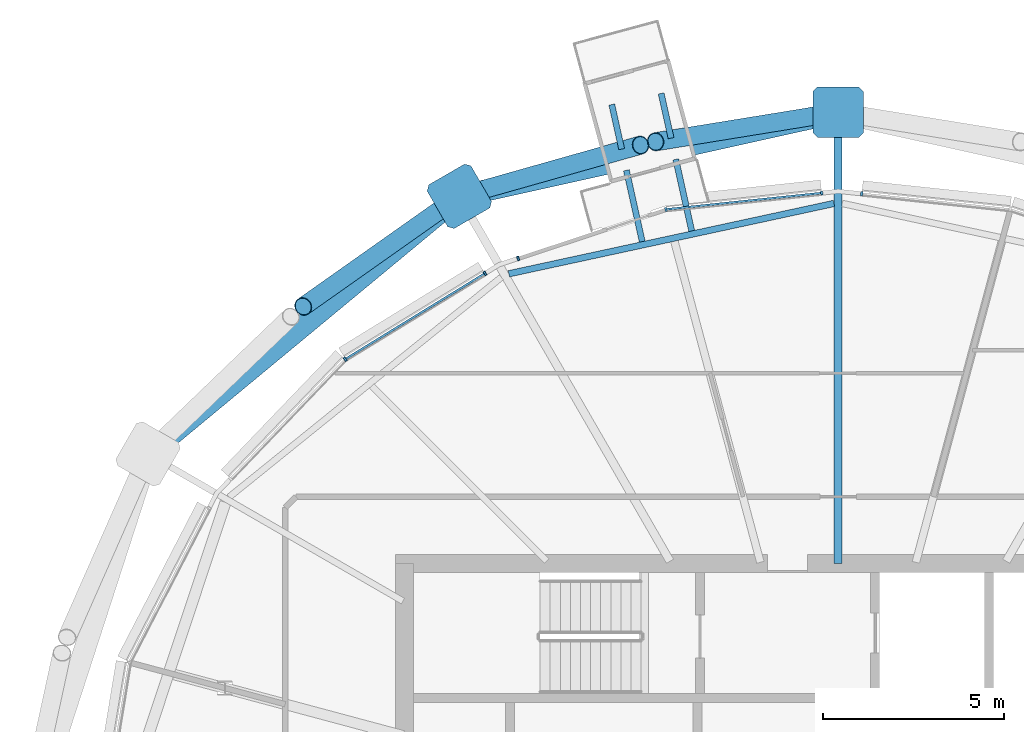
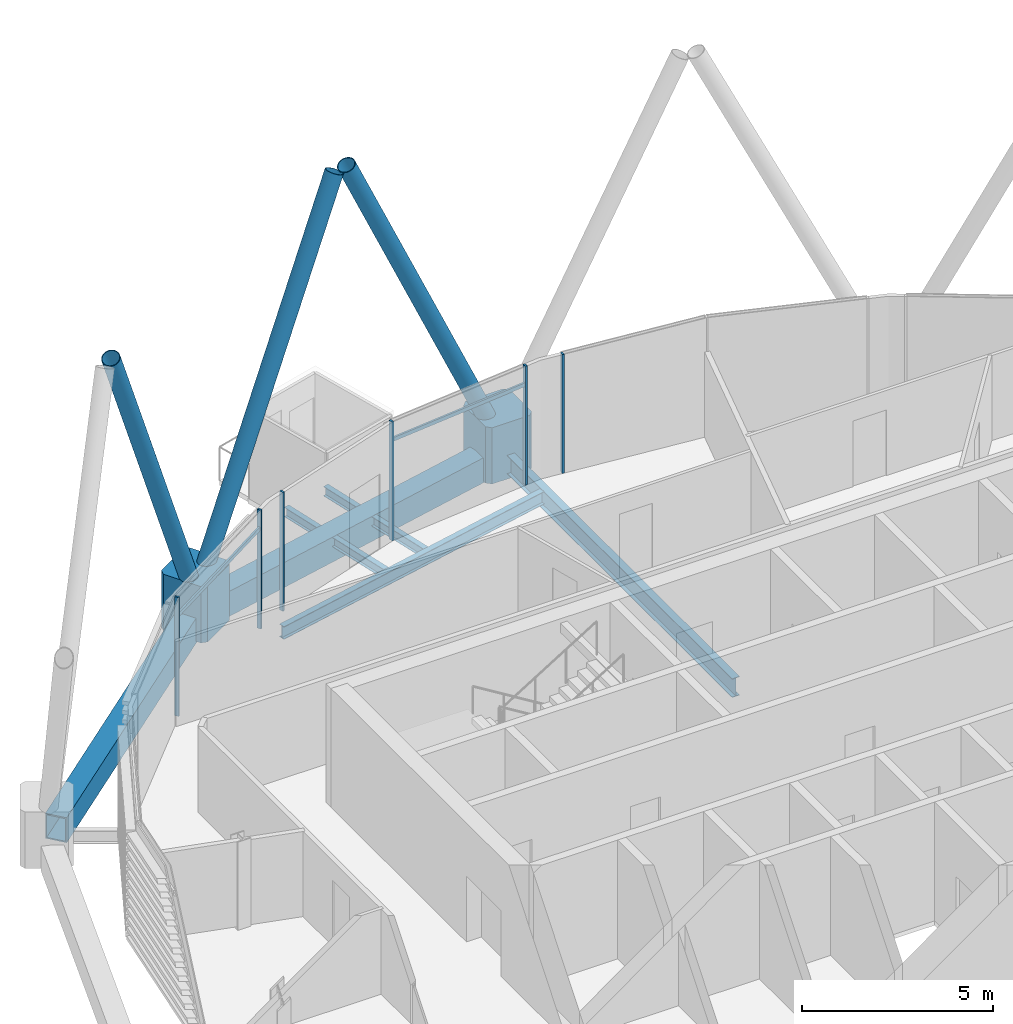
# One storey, part 8 of 32: 13 members, 8 beams, 1 element without a shape of its own.
"""IFC4 building model written with IfcOpenShell, lengths in metres."""

from ifc_helpers import new_model, si_unit, direction, frame, origin, origin_2d, place, context, subcontext, project, spatial, polyline, rectangle, hollow_rectangle, hollow_circle, i_section, outline, extrude, material, material_profile, profile_set, type_object, element, aggregate, save


model = new_model("IFC4")

# Units and contexts
model_context = context("Model", 3, precision=1e-05, world=origin(), true_north=direction((0.0, 1.0)))
body_context = subcontext(model_context, "Body", "Model", "MODEL_VIEW")
ifc_project = project(units=[si_unit("LENGTHUNIT", "METRE"), si_unit("AREAUNIT", "SQUARE_METRE"), si_unit("VOLUMEUNIT", "CUBIC_METRE"), si_unit("PLANEANGLEUNIT", "RADIAN"), si_unit("MASSUNIT", "GRAM", prefix="KILO")], contexts=[model_context])

# Site, building, storey
site_placement = place(None, origin())
site = spatial("IfcSite", under=ifc_project, at=site_placement, CompositionType="ELEMENT")
building_placement = place(site_placement, origin())
building = spatial("IfcBuilding", under=site, at=building_placement, Name="Rimbun Link Towers", CompositionType="ELEMENT")
storey_placement = place(building_placement, frame((0.0, 0.0, 233.300048828125)))
storey = spatial("IfcBuildingStorey", under=building, at=storey_placement, Name="L57", CompositionType="ELEMENT", Elevation=233.300048828125)

# Curtain wall, members
ifc_material_1 = material(Name="Aluminium 6063-T6 and low-iron glass", Category="aluminium")
curtain_wall_type = type_object("IfcCurtainWallType", Name="CW1-Z4 unitised vision wall (zone 4)", PredefinedType="NOTDEFINED", material=ifc_material_1)
curtain_wall_placement = place(storey_placement, origin())
curtain_wall = element("IfcCurtainWall", 1, at=curtain_wall_placement, inside=storey, type_object=curtain_wall_type, Name="CW1 L57 T1", PredefinedType="NOTDEFINED")
ifc_material_2 = material(Name="Aluminium 6063-T6", Category="aluminium")
ifc_material_profile_1 = material_profile(ifc_material_2, rectangle(XDim=0.1201171875, YDim=0.06005859375, at=origin_2d()), Name="MULLION 60X120")
ifc_profile_set_1 = profile_set([ifc_material_profile_1], Name="Aluminium 6063-T6")
member_type_1 = type_object("IfcMemberType", Name="CW1 mullion 60X120", PredefinedType="MULLION", material=ifc_profile_set_1)
member_1_placement = place(storey_placement, frame((-31.097412109375, 18.228271484375, 0.0), z_axis=(0.0, 0.0, 1.0), x_axis=(0.104735982072, 0.994500062373, 0.0)))
member_1 = element("IfcMember", 2, at=member_1_placement, type_object=member_type_1, Name="CW1 mullion", PredefinedType="MULLION", context=body_context, shape_type="SweptSolid", body=[
    extrude(rectangle(XDim=0.1201171875, YDim=0.06005859375, at=origin_2d()), origin(), (0.0, 0.0, 1.0), 3.800048828125),
])
member_2_placement = place(storey_placement, frame((-36.51513671875, 17.794921875, 0.0), z_axis=(0.0, 0.0, 1.0), x_axis=(-0.210871343796, 0.97751382413, 0.0)))
member_2 = element("IfcMember", 3, at=member_2_placement, type_object=member_type_1, Name="CW1 mullion", PredefinedType="MULLION", context=body_context, shape_type="SweptSolid", body=[
    extrude(rectangle(XDim=0.1201171875, YDim=0.06005859375, at=origin_2d()), origin(), (0.0, 0.0, 1.0), 3.800048828125),
])
member_3_placement = place(storey_placement, frame((-32.203857421875, 18.249267578125, 0.0), z_axis=(0.0, 0.0, 1.0), x_axis=(-0.104735982072, 0.994500062373, 0.0)))
member_3 = element("IfcMember", 4, at=member_3_placement, type_object=member_type_1, Name="CW1 mullion", PredefinedType="MULLION", context=body_context, shape_type="SweptSolid", body=[
    extrude(rectangle(XDim=0.1201171875, YDim=0.06005859375, at=origin_2d()), origin(), (0.0, 0.0, 1.0), 3.800048828125),
])
member_4_placement = place(storey_placement, frame((-40.60546875, 16.439697265625, 0.0), z_axis=(0.0, 0.0, 1.0), x_axis=(-0.314570456722, 0.949234126945, 0.0)))
member_4 = element("IfcMember", 5, at=member_4_placement, type_object=member_type_1, Name="CW1 mullion", PredefinedType="MULLION", context=body_context, shape_type="SweptSolid", body=[
    extrude(rectangle(XDim=0.1201171875, YDim=0.06005859375, at=origin_2d()), origin(), (0.0, 0.0, 1.0), 3.800048828125),
])
member_5_placement = place(storey_placement, frame((-45.39111328125, 13.650146484375, 0.0), z_axis=(0.0, 0.0, 1.0), x_axis=(-0.627668219007, 0.778480961134, 0.0)))
member_5 = element("IfcMember", 6, at=member_5_placement, type_object=member_type_1, Name="CW1 mullion", PredefinedType="MULLION", context=body_context, shape_type="SweptSolid", body=[
    extrude(rectangle(XDim=0.1201171875, YDim=0.06005859375, at=origin_2d()), origin(), (0.0, 0.0, 1.0), 3.800048828125),
])
member_6_placement = place(storey_placement, frame((-41.523681640625, 16.025390625, 0.0), z_axis=(0.0, 0.0, 1.0), x_axis=(-0.523240269306, 0.852185203214, 0.0)))
member_6 = element("IfcMember", 7, at=member_6_placement, type_object=member_type_1, Name="CW1 mullion", PredefinedType="MULLION", context=body_context, shape_type="SweptSolid", body=[
    extrude(rectangle(XDim=0.1201171875, YDim=0.06005859375, at=origin_2d()), origin(), (0.0, 0.0, 1.0), 3.800048828125),
])
ifc_material_3 = material(Name="Aluminium 6063-T6", Category="aluminium")
ifc_material_profile_2 = material_profile(ifc_material_3, rectangle(XDim=0.06005859375, YDim=0.1201171875, at=origin_2d()), Name="TRANSOM 60X120")
ifc_profile_set_2 = profile_set([ifc_material_profile_2], Name="Aluminium 6063-T6")
member_type_2 = type_object("IfcMemberType", Name="CW1 transom 60X120", PredefinedType="USERDEFINED", material=ifc_profile_set_2)
member_7_placement = place(storey_placement, frame((-36.478759765625, 17.797119140625, 3.199951171875), z_axis=(0.994502005227, 0.104717532438, 0.0), x_axis=(-0.104717532438, 0.994502005227, 0.0)))
member_7 = element("IfcMember", 8, at=member_7_placement, type_object=member_type_2, Name="CW1 transom", ObjectType="TRANSOM", PredefinedType="USERDEFINED", context=body_context, shape_type="SweptSolid", body=[
    extrude(rectangle(XDim=0.06005859375, YDim=0.1201171875, at=origin_2d()), origin(), (0.0, 0.0, 1.0), 4.268798828125),
])
member_8_placement = place(storey_placement, frame((-45.3583984375, 13.668701171875, 3.199951171875), z_axis=(0.852201552953, 0.523213640059, 0.0), x_axis=(-0.523213640059, 0.852201552953, 0.0)))
member_8 = element("IfcMember", 9, at=member_8_placement, type_object=member_type_2, Name="CW1 transom", ObjectType="TRANSOM", PredefinedType="USERDEFINED", context=body_context, shape_type="SweptSolid", body=[
    extrude(rectangle(XDim=0.06005859375, YDim=0.1201171875, at=origin_2d()), origin(), (0.0, 0.0, 1.0), 4.47119140625),
])
aggregate(curtain_wall, [member_1, member_2, member_3, member_4, member_5, member_6, member_7, member_8])

# Beams
ifc_material_4 = material(Name="Steel S355J2", Category="steel")
ifc_material_profile_3 = material_profile(ifc_material_4, i_section(OverallWidth=0.1650390625, OverallDepth=0.303466796875, WebThickness=0.006103515625, FlangeThickness=0.01025390625, at=origin_2d()), Name="UB 305x165x40")
ifc_profile_set_3 = profile_set([ifc_material_profile_3], Name="Steel S355J2")
beam_type_1 = type_object("IfcBeamType", Name="Capsule bracket beam UB 305x165x40", PredefinedType="BEAM", material=ifc_profile_set_3)
beam_1_placement = place(storey_placement, frame((-37.171630859375, 16.90380859375, -0.311767578125), z_axis=(-0.216828192578, 0.976209780172, 0.0), x_axis=(-0.976209780172, -0.216828192578, 0.0)))
element("IfcBeam", 10, at=beam_1_placement, inside=storey, type_object=beam_type_1, Name="Capsule D571.01 bracket beam 1", PredefinedType="BEAM", context=body_context, shape_type="SweptSolid", body=[
    extrude(i_section(OverallWidth=0.1650390625, OverallDepth=0.303466796875, WebThickness=0.006103515625, FlangeThickness=0.01025390625, at=origin_2d()), origin(), (0.0, 0.0, 1.0), 2.022216796875),
])
beam_2_placement = place(storey_placement, frame((-37.740234375, 19.463623046875, -0.311767578125), z_axis=(-0.216725930317, 0.976232488257, 0.0), x_axis=(-0.976232488257, -0.216725930317, 0.0)))
element("IfcBeam", 11, at=beam_2_placement, inside=storey, type_object=beam_type_1, Name="Capsule D571.01 bracket beam 2", PredefinedType="BEAM", context=body_context, shape_type="SweptSolid", body=[
    extrude(i_section(OverallWidth=0.1650390625, OverallDepth=0.303466796875, WebThickness=0.006103515625, FlangeThickness=0.01025390625, at=origin_2d()), origin(), (0.0, 0.0, 1.0), 1.263916015625),
])
beam_3_placement = place(storey_placement, frame((-35.80322265625, 17.19970703125, -0.311767578125), z_axis=(-0.216841317878, 0.976206864789, 0.0), x_axis=(-0.976206864789, -0.216841317878, 0.0)))
element("IfcBeam", 12, at=beam_3_placement, inside=storey, type_object=beam_type_1, Name="Capsule D571.01 bracket beam 3", PredefinedType="BEAM", context=body_context, shape_type="SweptSolid", body=[
    extrude(i_section(OverallWidth=0.1650390625, OverallDepth=0.303466796875, WebThickness=0.006103515625, FlangeThickness=0.01025390625, at=origin_2d()), origin(), (0.0, 0.0, 1.0), 2.030029296875),
])
beam_4_placement = place(storey_placement, frame((-36.37353515625, 19.767333984375, -0.311767578125), z_axis=(-0.216869332366, 0.97620064161, 0.0), x_axis=(-0.97620064161, -0.216869332366, 0.0)))
element("IfcBeam", 13, at=beam_4_placement, inside=storey, type_object=beam_type_1, Name="Capsule D571.01 bracket beam 4", PredefinedType="BEAM", context=body_context, shape_type="SweptSolid", body=[
    extrude(i_section(OverallWidth=0.1650390625, OverallDepth=0.303466796875, WebThickness=0.006103515625, FlangeThickness=0.01025390625, at=origin_2d()), origin(), (0.0, 0.0, 1.0), 1.268798828125),
])

# Members
ifc_material_5 = material(Name="Steel S355J2H", Category="steel")
ifc_material_profile_4 = material_profile(ifc_material_5, hollow_circle(Radius=0.25390625, WallThickness=0.02001953125, at=origin_2d()), Name="Diagrid diagonal CHS 508x20")
ifc_profile_set_4 = profile_set([ifc_material_profile_4], Name="Steel S355J2H")
member_type_3 = type_object("IfcMemberType", Name="Diagrid diagonal CHS 508x20", PredefinedType="BRACE", material=ifc_profile_set_4)
member_9_placement = place(storey_placement, frame((-31.958984375, 20.452880859375, 0.452880859375), z_axis=(-0.418063811129, -0.067777043736, 0.905885711427), x_axis=(0.160031845351, -0.987111852058, 0.0)))
element("IfcMember", 14, at=member_9_placement, inside=storey, type_object=member_type_3, Name="Diagrid diagonal T1 L57-L60 06b", PredefinedType="BRACE", context=body_context, shape_type="SweptSolid", body=[
    extrude(hollow_circle(Radius=0.25390625, WallThickness=0.02001953125, at=origin_2d()), origin(), (0.0, 0.0, 1.0), 11.58447265625),
])
member_10_placement = place(storey_placement, frame((-42.02685546875, 18.216796875, 0.451416015625), z_axis=(0.413652276696, 0.116863383075, 0.902903507403), x_axis=(-0.271874390149, 0.962332747017, 0.0)))
element("IfcMember", 15, at=member_10_placement, inside=storey, type_object=member_type_3, Name="Diagrid diagonal T1 L57-L60 08a", PredefinedType="BRACE", context=body_context, shape_type="SweptSolid", body=[
    extrude(hollow_circle(Radius=0.25390625, WallThickness=0.02001953125, at=origin_2d()), origin(), (0.0, 0.0, 1.0), 11.6259765625),
])
member_11_placement = place(storey_placement, frame((-42.411376953125, 18.032958984375, 0.4501953125), z_axis=(-0.355393319914, -0.250810450056, 0.900438618842), x_axis=(0.576598153893, -0.817027887485, 0.0)))
element("IfcMember", 16, at=member_11_placement, inside=storey, type_object=member_type_3, Name="Diagrid diagonal T1 L57-L60 08b", PredefinedType="BRACE", context=body_context, shape_type="SweptSolid", body=[
    extrude(hollow_circle(Radius=0.25390625, WallThickness=0.02001953125, at=origin_2d()), origin(), (0.0, 0.0, 1.0), 11.660400390625),
])
ifc_material_6 = material(Name="Cast steel G20Mn5+QT, Rp0.2 300 MPa", Category="steel")
ifc_material_profile_5 = material_profile(ifc_material_6, outline(polyline([(0.699951171875, -0.570068359375), (0.699951171875, 0.570068359375), (0.570068359375, 0.699951171875), (-0.570068359375, 0.699951171875), (-0.699951171875, 0.570068359375), (-0.699951171875, -0.570068359375), (-0.570068359375, -0.699951171875), (0.570068359375, -0.699951171875), (0.699951171875, -0.570068359375)])), Name="NODE 1400x1400")
ifc_profile_set_5 = profile_set([ifc_material_profile_5], Name="Cast steel G20Mn5+QT, Rp0.2 300 MPa")
member_type_4 = type_object("IfcMemberType", Name="Diagrid node cast 1400", PredefinedType="USERDEFINED", material=ifc_profile_set_5)
for number, where, z_axis, x_axis, name in (
    (17, (-31.75, 20.48681640625, -0.900146484375), (0.0, 0.0, 1.0), (0.0, 1.0, 0.0), "Diagrid node L57 06"),
    (18, (-42.233642578125, 18.158447265625, -0.900146484375), (0.0, 0.0, 1.0), (-0.5, 0.866025403784, 0.0), "Diagrid node L57 08"),
):
    element("IfcMember", number, at=place(storey_placement, frame(where, z_axis=z_axis, x_axis=x_axis)), inside=storey, type_object=member_type_4, Name=name, ObjectType="Diagrid node", PredefinedType="USERDEFINED", context=body_context, shape_type="SweptSolid", body=[
        extrude(outline(polyline([(0.699951171875, -0.570068359375), (0.699951171875, 0.570068359375), (0.570068359375, 0.699951171875), (-0.570068359375, 0.699951171875), (-0.699951171875, 0.570068359375), (-0.699951171875, -0.570068359375), (-0.570068359375, -0.699951171875), (0.570068359375, -0.699951171875), (0.699951171875, -0.570068359375)])), origin(), (0.0, 0.0, 1.0), 1.800048828125),
    ])

# Beams
ifc_material_7 = material(Name="Steel S355J2", Category="steel")
ifc_material_profile_6 = material_profile(ifc_material_7, hollow_rectangle(XDim=0.60009765625, YDim=0.800048828125, WallThickness=0.0400390625, at=origin_2d()), Name="Exoskeleton ring girder BOX 600x800x40")
ifc_profile_set_6 = profile_set([ifc_material_profile_6], Name="Steel S355J2")
beam_type_2 = type_object("IfcBeamType", Name="Exoskeleton ring girder BOX 600x800x40", PredefinedType="BEAM", material=ifc_profile_set_6)
beam_5_placement = place(storey_placement, frame((-32.433349609375, 20.3349609375, -0.56005859375), z_axis=(-0.976217190841, -0.216794825366, 0.0), x_axis=(0.216794825366, -0.976217190841, 0.0)))
element("IfcBeam", 19, at=beam_5_placement, inside=storey, type_object=beam_type_2, Name="Exoskeleton ring girder L57 03", PredefinedType="BEAM", context=body_context, shape_type="SweptSolid", body=[
    extrude(hollow_rectangle(XDim=0.60009765625, YDim=0.800048828125, WallThickness=0.0400390625, at=origin_2d()), origin(), (0.0, 0.0, 1.0), 9.339111328125),
])
beam_6_placement = place(storey_placement, frame((-42.77294921875, 17.712158203125, -0.56005859375), z_axis=(-0.770401082802, -0.637559543586, 0.0), x_axis=(0.637559543586, -0.770401082802, 0.0)))
element("IfcBeam", 20, at=beam_6_placement, inside=storey, type_object=beam_type_2, Name="Exoskeleton ring girder L57 04", PredefinedType="BEAM", context=body_context, shape_type="SweptSolid", body=[
    extrude(hollow_rectangle(XDim=0.60009765625, YDim=0.800048828125, WallThickness=0.0400390625, at=origin_2d()), origin(), (0.0, 0.0, 1.0), 9.78466796875),
])
ifc_material_8 = material(Name="Steel S355J2", Category="steel")
ifc_material_profile_7 = material_profile(ifc_material_8, i_section(OverallWidth=0.177978515625, OverallDepth=0.406494140625, WebThickness=0.0078125, FlangeThickness=0.0126953125, at=origin_2d()), Name="UB 406x178x60")
ifc_profile_set_7 = profile_set([ifc_material_profile_7], Name="Steel S355J2")
beam_type_3 = type_object("IfcBeamType", Name="UB 406x178x60", PredefinedType="BEAM", material=ifc_profile_set_7)
beam_7_placement = place(storey_placement, frame((-31.86474609375, 17.960693359375, -0.34326171875), z_axis=(-0.977393879339, -0.211426593954, 0.0), x_axis=(0.211426593954, -0.977393879339, 0.0)))
element("IfcBeam", 21, at=beam_7_placement, inside=storey, type_object=beam_type_3, Name="Edge beam T1 L57 06-08", PredefinedType="BEAM", context=body_context, shape_type="SweptSolid", body=[
    extrude(i_section(OverallWidth=0.177978515625, OverallDepth=0.406494140625, WebThickness=0.0078125, FlangeThickness=0.0126953125, at=origin_2d()), origin(), (0.0, 0.0, 1.0), 9.20654296875),
])
ifc_material_9 = material(Name="Steel S355J2", Category="steel")
ifc_material_profile_8 = material_profile(ifc_material_9, i_section(OverallWidth=0.2275390625, OverallDepth=0.6025390625, WebThickness=0.010498046875, FlangeThickness=0.014892578125, at=origin_2d()), Name="UB 610x229x101")
ifc_profile_set_8 = profile_set([ifc_material_profile_8], Name="Steel S355J2")
beam_type_4 = type_object("IfcBeamType", Name="UB 610x229x101", PredefinedType="BEAM", material=ifc_profile_set_8)
beam_8_placement = place(storey_placement, frame((-31.75, 8.0009765625, -0.44140625), z_axis=(0.0, 1.0, 0.0), x_axis=(-1.0, 0.0, 0.0)))
element("IfcBeam", 22, at=beam_8_placement, inside=storey, type_object=beam_type_4, Name="Radial beam T1 L57 06", PredefinedType="BEAM", context=body_context, shape_type="SweptSolid", body=[
    extrude(i_section(OverallWidth=0.2275390625, OverallDepth=0.6025390625, WebThickness=0.010498046875, FlangeThickness=0.014892578125, at=origin_2d()), origin(), (0.0, 0.0, 1.0), 11.98583984375),
])

save(model, "model.ifc")
